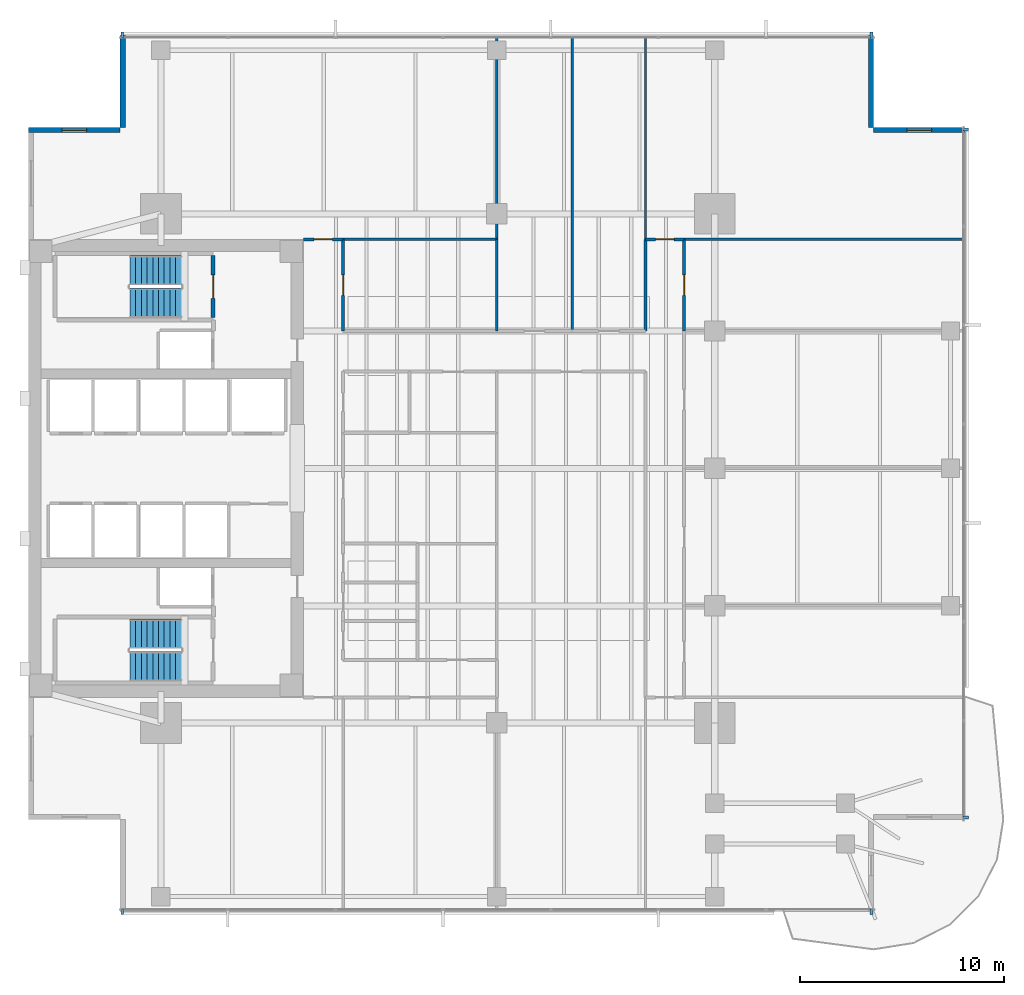
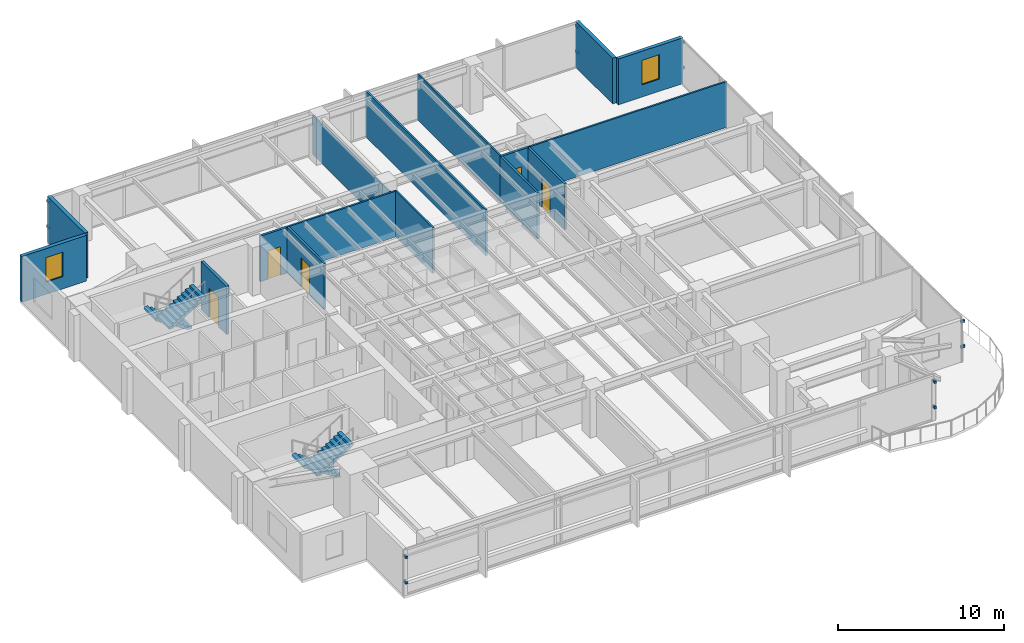
# One storey, part 10 of 14: 16 walls, 12 discrete accessories, 5 doors, 4 stair flights, 2 windows, 7 openings, 2 elements without a shape of their own.
"""IFC4 building model written with IfcOpenShell, lengths in metres."""

import ifcopenshell
import ifcopenshell.guid

model = None  # the IFC model being written
_history = None  # IfcOwnerHistory: only IFC2X3 demands one
_inside = {}  # id of a spatial element -> (the spatial element, [elements in it])
_under = {}  # id of a project, library or spatial element -> (it, [spatial elements below it])
_declared = {}  # id of a project -> (the project, [libraries it declares])
_typed = {}  # id of a type object -> (the type object, [elements of that type])
_made_of = {}  # id of a material, layer set ... -> (it, [elements and type objects made of it])


def new_model(schema):
    """Start an empty IFC model of exactly this schema.

    Asked for "IFC4X3", IfcOpenShell would pick the latest addendum, in which some entities
    have other attributes; the version numbers below select the first issue.
    IFC2X3 requires an IfcOwnerHistory on every rooted entity: one is made here for all.
    """
    global model, _history
    if schema == "IFC4X3":
        model = ifcopenshell.file(schema_version=(4, 3, 0, 0))
    else:
        model = ifcopenshell.file(schema=schema)
    _inside.clear()
    _under.clear()
    _declared.clear()
    _typed.clear()
    _made_of.clear()
    _history = None
    if model.schema == "IFC2X3":
        org = make("IfcOrganization", Name="unknown")
        user = make(
            "IfcPersonAndOrganization",
            ThePerson=make("IfcPerson", FamilyName="unknown"),
            TheOrganization=org,
        )
        app = make(
            "IfcApplication",
            ApplicationDeveloper=org,
            Version="unknown",
            ApplicationFullName="unknown",
            ApplicationIdentifier="unknown",
        )
        _history = make(
            "IfcOwnerHistory",
            OwningUser=user,
            OwningApplication=app,
            ChangeAction="ADDED",
            CreationDate=0,
        )
    return model


def make(cls, **values):
    """One entity of the class cls with the attributes given. An attribute that is None is left unset."""
    return model.create_entity(
        cls, **{name: value for name, value in values.items() if value is not None}
    )


def rooted(cls, **values):
    """An entity with a GlobalId (a new one), such as an element, a storey or a relation."""
    return make(cls, GlobalId=ifcopenshell.guid.new(), OwnerHistory=_history, **values)


def si_unit(unit_type, name, prefix=None):
    """IfcSIUnit, for example si_unit("LENGTHUNIT", "METRE", prefix="MILLI")."""
    return make("IfcSIUnit", UnitType=unit_type, Prefix=prefix, Name=name)


def assignment(units):
    """IfcUnitAssignment: the units of a project."""
    return None if units is None else make("IfcUnitAssignment", Units=units)


def point(xyz):
    """IfcCartesianPoint."""
    return None if xyz is None else make("IfcCartesianPoint", Coordinates=xyz)


def direction(xyz):
    """IfcDirection."""
    return None if xyz is None else make("IfcDirection", DirectionRatios=xyz)


def frame(location, z_axis=None, x_axis=None):
    """IfcAxis2Placement3D, a coordinate frame: its origin and axes. An axis left out is left unset."""
    return make(
        "IfcAxis2Placement3D",
        Location=point(location),
        Axis=direction(z_axis),
        RefDirection=direction(x_axis),
    )


def frame_2d(location, x_axis=None):
    """IfcAxis2Placement2D, a coordinate frame in the plane: its origin and x axis."""
    return make(
        "IfcAxis2Placement2D", Location=point(location), RefDirection=direction(x_axis)
    )


def origin():
    """The frame at (0, 0, 0) with its axes left unset."""
    return frame((0.0, 0.0, 0.0))


def origin_2d():
    """The frame at (0, 0) in the plane with its x axis left unset."""
    return frame_2d((0.0, 0.0))


def place(relative_to, where):
    """IfcLocalPlacement: puts the frame where relative to a parent placement (None: the world)."""
    return make(
        "IfcLocalPlacement", PlacementRelTo=relative_to, RelativePlacement=where
    )


def context(
    kind, dimensions, precision=None, world=None, true_north=None, identifier=None
):
    """IfcGeometricRepresentationContext, for example the 3D "Model" context."""
    return make(
        "IfcGeometricRepresentationContext",
        ContextIdentifier=identifier,
        ContextType=kind,
        CoordinateSpaceDimension=dimensions,
        Precision=precision,
        WorldCoordinateSystem=world,
        TrueNorth=true_north,
    )


def subcontext(parent, identifier, kind, view, scale=None):
    """IfcGeometricRepresentationSubContext, for example "Body" below "Model"."""
    return make(
        "IfcGeometricRepresentationSubContext",
        ContextIdentifier=identifier,
        ContextType=kind,
        ParentContext=parent,
        TargetScale=scale,
        TargetView=view,
    )


def project(units=None, contexts=None):
    """IfcProject with its units and contexts."""
    return rooted(
        "IfcProject",
        Name="project",
        RepresentationContexts=contexts,
        UnitsInContext=assignment(units),
    )


def spatial(cls, under=None, at=None, **own):
    """A site, building, storey or space (cls), placed at a placement, below another one or the project."""
    s = rooted(cls, ObjectPlacement=at, **own)
    if under is not None:
        _under.setdefault(under.id(), (under, []))[1].append(s)
    return s


def polyline(points):
    """IfcPolyline through the points."""
    return make("IfcPolyline", Points=[point(p) for p in points])


def profile(cls, at=None, kind="AREA", **sizes):
    """A parametric profile (cls). Its sizes go by their IFC names, for example OverallWidth=200.0."""
    return make(cls, ProfileType=kind, Position=at, **sizes)


def rectangle(**sizes):
    """IfcRectangleProfileDef."""
    return profile("IfcRectangleProfileDef", **sizes)


def outline(outer, holes=None, kind="AREA"):
    """IfcArbitraryClosedProfileDef: a profile drawn as a closed curve; with holes, ...WithVoids."""
    if holes is None:
        return make("IfcArbitraryClosedProfileDef", ProfileType=kind, OuterCurve=outer)
    return make(
        "IfcArbitraryProfileDefWithVoids",
        ProfileType=kind,
        OuterCurve=outer,
        InnerCurves=holes,
    )


def extrude(swept, where, along, depth):
    """IfcExtrudedAreaSolid: the profile swept, set in the frame where, extruded along a direction by depth."""
    return make(
        "IfcExtrudedAreaSolid",
        SweptArea=swept,
        Position=where,
        ExtrudedDirection=direction(along),
        Depth=depth,
    )


def shape(context_of_items, identifier, shape_type, items):
    """IfcShapeRepresentation: the items that make up one representation, for example the "Body"."""
    return make(
        "IfcShapeRepresentation",
        ContextOfItems=context_of_items,
        RepresentationIdentifier=identifier,
        RepresentationType=shape_type,
        Items=items,
    )


def material(Name=None, Category=None):
    """IfcMaterial."""
    return make("IfcMaterial", Name=Name, Category=Category)


def layer(
    of_material, thickness, ventilated=None, Name=None, Category=None, Priority=None
):
    """IfcMaterialLayer: one layer of a wall or slab, of a material (None: an air gap)."""
    return make(
        "IfcMaterialLayer",
        Material=of_material,
        LayerThickness=thickness,
        IsVentilated=ventilated,
        Name=Name,
        Category=Category,
        Priority=Priority,
    )


def layer_set(layers, Name=None):
    """IfcMaterialLayerSet."""
    return make("IfcMaterialLayerSet", MaterialLayers=layers, LayerSetName=Name)


def made_of(thing, what):
    """Note that an element or type object is made of a material, layer set ...; save() writes the relation."""
    if what is not None:
        _made_of.setdefault(what.id(), (what, []))[1].append(thing)
    return thing


def type_object(cls, material=None, **own):
    """A type object (cls), such as IfcWallType, which elements share."""
    return made_of(rooted(cls, **own), material)


def element(
    cls,
    number,
    at=None,
    inside=None,
    cuts=None,
    type_object=None,
    material=None,
    context=None,
    identifier="Body",
    shape_type=None,
    held_by="IfcProductDefinitionShape",
    body=None,
    shapes=None,
    **own,
):
    """One element of the class cls, such as IfcWall. Its Tag is "e" and its number.

    at: its placement. inside: the storey or other place that contains it. cuts: it is an
    opening in that element (IfcRelVoidsElement). A single representation is given by context,
    identifier, shape_type and body (its items); several are given by shapes. held_by: the class
    of the entity that holds the representations. save() writes the other relations.
    """
    e = rooted(cls, Tag="e%d" % number, ObjectPlacement=at, **own)
    if body is not None:
        shapes = [shape(context, identifier, shape_type, body)]
    if shapes is not None:
        e.Representation = make(held_by, Representations=shapes)
    if inside is not None:
        _inside.setdefault(inside.id(), (inside, []))[1].append(e)
    if cuts is not None:
        rooted(
            "IfcRelVoidsElement", RelatingBuildingElement=cuts, RelatedOpeningElement=e
        )
    if type_object is not None:
        _typed.setdefault(type_object.id(), (type_object, []))[1].append(e)
    return made_of(e, material)


def fill(opening, filler):
    """IfcRelFillsElement: the door or window that sits in an opening."""
    return rooted(
        "IfcRelFillsElement",
        RelatingOpeningElement=opening,
        RelatedBuildingElement=filler,
    )


def aggregate(whole, parts):
    """IfcRelAggregates: a whole, such as a stair, and the parts it consists of."""
    return rooted("IfcRelAggregates", RelatingObject=whole, RelatedObjects=parts)


def save(model, path):
    """Write the relations noted so far, then the file.

    IfcRelAggregates (storeys below a building ...), IfcRelContainedInSpatialStructure (elements
    in a storey), IfcRelDefinesByType, IfcRelAssociatesMaterial and IfcRelDeclares: one each for
    every whole, place, type object, material and project.
    """
    for whole, parts in _under.values():
        aggregate(whole, parts)
    for where, things in _inside.values():
        rooted(
            "IfcRelContainedInSpatialStructure",
            RelatedElements=things,
            RelatingStructure=where,
        )
    for kind, things in _typed.values():
        rooted("IfcRelDefinesByType", RelatedObjects=things, RelatingType=kind)
    for what, things in _made_of.values():
        rooted("IfcRelAssociatesMaterial", RelatedObjects=things, RelatingMaterial=what)
    for by, libraries in _declared.values():
        rooted("IfcRelDeclares", RelatingContext=by, RelatedDefinitions=libraries)
    model.write(path)


model = new_model("IFC4")

# Units and contexts
model_context = context("Model", 3, precision=1e-05, world=origin(), true_north=direction((0.0, 1.0)))
body_context = subcontext(model_context, "Body", "Model", "MODEL_VIEW")
ifc_project = project(units=[si_unit("LENGTHUNIT", "METRE"), si_unit("AREAUNIT", "SQUARE_METRE"), si_unit("VOLUMEUNIT", "CUBIC_METRE"), si_unit("PLANEANGLEUNIT", "RADIAN"), si_unit("MASSUNIT", "GRAM", prefix="KILO")], contexts=[model_context])

# Site, building, storey
site_placement = place(None, origin())
site = spatial("IfcSite", under=ifc_project, at=site_placement, CompositionType="ELEMENT")
building_placement = place(site_placement, origin())
building = spatial("IfcBuilding", under=site, at=building_placement, Name="Kinhvarn Gate Tower", CompositionType="ELEMENT")
storey_placement = place(building_placement, frame((0.0, 0.0, 148.39990234375)))
storey = spatial("IfcBuildingStorey", under=building, at=storey_placement, Name="L39", CompositionType="ELEMENT", Elevation=148.39990234375)

# Wall, opening, window
ifc_material_1 = material(Name="Fired architectural terracotta", Category="masonry")
ifc_layer_1 = layer(ifc_material_1, 0.25)
ifc_layer_set_1 = layer_set([ifc_layer_1], Name="Fired architectural terracotta")
wall_type_1 = type_object("IfcWallType", Name="WL-EXT-250", PredefinedType="SOLIDWALL", material=ifc_layer_set_1)
wall_1_placement = place(storey_placement, frame((50.5, 41.875, 0.0), z_axis=(0.0, 0.0, 1.0), x_axis=(-1.0, 0.0, 0.0)))
wall_1 = element("IfcWall", 1, at=wall_1_placement, inside=storey, type_object=wall_type_1, Name="Exterior Solidwall Wall EW-250 (L39 NE-Notch-1)", PredefinedType="SOLIDWALL", context=body_context, shape_type="SweptSolid", body=[
    extrude(rectangle(XDim=4.5, YDim=0.25, at=frame_2d((2.25, 0.0))), origin(), (0.0, 0.0, 1.0), 3.3701171875),
])
opening_1_placement = place(wall_1_placement, frame((1.64990234375, 0.0, 0.89990234375)))
opening_1 = element("IfcOpeningElement", 2, at=opening_1_placement, cuts=wall_1, Name="Opening WN-02", PredefinedType="OPENING", context=body_context, shape_type="SweptSolid", body=[
    extrude(rectangle(XDim=1.199951171875, YDim=1.800048828125, at=frame_2d((0.60009765625, 0.89990234375))), frame((0.0, 0.135009765625, 0.0), z_axis=(0.0, -1.0, 0.0), x_axis=(1.0, 0.0, 0.0)), (0.0, 0.0, 1.0), 0.27001953125),
])
ifc_material_2 = material(Name="Clear low-e double glazing", Category="glass")
window_type = type_object("IfcWindowType", Name="WIN-NTC-1200", PartitioningType="SINGLE_PANEL", PredefinedType="WINDOW", material=ifc_material_2)
window_1_placement = place(opening_1_placement, origin())
window_1 = element("IfcWindow", 3, at=window_1_placement, inside=storey, type_object=window_type, Name="Recessed Corner Notch Punched Window 1200x1800 mm (L39)", OverallHeight=1.800048828125, OverallWidth=1.199951171875, PartitioningType="SINGLE_PANEL", PredefinedType="WINDOW", context=body_context, shape_type="SweptSolid", body=[
    extrude(rectangle(XDim=1.199951171875, YDim=1.800048828125, at=frame_2d((0.60009765625, 0.89990234375))), frame((0.0, 0.030029296875, 0.0), z_axis=(0.0, -1.0, 0.0), x_axis=(1.0, 0.0, 0.0)), (0.0, 0.0, 1.0), 0.06005859375),
])
fill(opening_1, window_1)

# Walls
for number, where, z_axis, x_axis, name in (
    (4, (45.875, 42.0, 0.0), (0.0, 0.0, 1.0), (0.0, 1.0, 0.0), "Exterior Solidwall Wall EW-250 (L39 NE-Notch-2)"),
    (5, (9.125, 46.5, 0.0), (0.0, 0.0, 1.0), (0.0, -1.0, 0.0), "Exterior Solidwall Wall EW-250 (L39 NW-Notch-1)"),
):
    element("IfcWall", number, at=place(storey_placement, frame(where, z_axis=z_axis, x_axis=x_axis)), inside=storey, type_object=wall_type_1, Name=name, PredefinedType="SOLIDWALL", context=body_context, shape_type="SweptSolid", body=[
        extrude(rectangle(XDim=4.5, YDim=0.25, at=frame_2d((2.25, 0.0))), origin(), (0.0, 0.0, 1.0), 3.3701171875),
    ])

# Wall, opening, window
wall_2_placement = place(storey_placement, frame((9.0, 41.875, 0.0), z_axis=(0.0, 0.0, 1.0), x_axis=(-1.0, 0.0, 0.0)))
wall_2 = element("IfcWall", 6, at=wall_2_placement, inside=storey, type_object=wall_type_1, Name="Exterior Solidwall Wall EW-250 (L39 NW-Notch-2)", PredefinedType="SOLIDWALL", context=body_context, shape_type="SweptSolid", body=[
    extrude(rectangle(XDim=4.5, YDim=0.25, at=frame_2d((2.25, 0.0))), origin(), (0.0, 0.0, 1.0), 3.3701171875),
])
opening_2_placement = place(wall_2_placement, frame((1.64990234375, 0.0, 0.89990234375)))
opening_2 = element("IfcOpeningElement", 7, at=opening_2_placement, cuts=wall_2, Name="Opening WN-02", PredefinedType="OPENING", context=body_context, shape_type="SweptSolid", body=[
    extrude(rectangle(XDim=1.199951171875, YDim=1.800048828125, at=frame_2d((0.60009765625, 0.89990234375))), frame((0.0, 0.135009765625, 0.0), z_axis=(0.0, -1.0, 0.0), x_axis=(1.0, 0.0, 0.0)), (0.0, 0.0, 1.0), 0.27001953125),
])
window_2_placement = place(opening_2_placement, origin())
window_2 = element("IfcWindow", 8, at=window_2_placement, inside=storey, type_object=window_type, Name="Recessed Corner Notch Punched Window 1200x1800 mm (L39)", OverallHeight=1.800048828125, OverallWidth=1.199951171875, PartitioningType="SINGLE_PANEL", PredefinedType="WINDOW", context=body_context, shape_type="SweptSolid", body=[
    extrude(rectangle(XDim=1.199951171875, YDim=1.800048828125, at=frame_2d((0.60009765625, 0.89990234375))), frame((0.0, 0.030029296875, 0.0), z_axis=(0.0, -1.0, 0.0), x_axis=(1.0, 0.0, 0.0)), (0.0, 0.0, 1.0), 0.06005859375),
])
fill(opening_2, window_2)

# Walls
ifc_material_3 = material(Name="Gypsum acoustic partition board")
ifc_layer_2 = layer(ifc_material_3, 0.1201171875)
ifc_layer_set_2 = layer_set([ifc_layer_2], Name="Gypsum acoustic partition board")
wall_type_2 = type_object("IfcWallType", Name="WL-PRT-120", PredefinedType="PARTITIONING", material=ifc_layer_set_2)
wall_3_placement = place(storey_placement, frame((19.949951171875, 36.5, 0.0), z_axis=(0.0, 0.0, 1.0), x_axis=(1.0, 0.0, 0.0)))
element("IfcWall", 9, at=wall_3_placement, inside=storey, type_object=wall_type_2, Name="Interior Partition PW-120 (L39)", PredefinedType="PARTITIONING", context=body_context, shape_type="SweptSolid", body=[
    extrude(rectangle(XDim=7.550048828125, YDim=0.1201171875, at=frame_2d((3.77490234375, 0.0))), origin(), (0.0, 0.0, 1.0), 3.3701171875),
])
wall_4_placement = place(storey_placement, frame((27.5, 32.0, 0.0), z_axis=(0.0, 0.0, 1.0), x_axis=(0.0, 1.0, 0.0)))
element("IfcWall", 10, at=wall_4_placement, inside=storey, type_object=wall_type_2, Name="Interior Partition PW-120 (L39)", PredefinedType="PARTITIONING", context=body_context, shape_type="SweptSolid", body=[
    extrude(rectangle(XDim=4.5, YDim=0.1201171875, at=frame_2d((2.25, 0.0))), origin(), (0.0, 0.0, 1.0), 3.3701171875),
])
wall_5_placement = place(storey_placement, frame((27.5, 36.5, 0.0), z_axis=(0.0, 0.0, 1.0), x_axis=(0.0, 1.0, 0.0)))
element("IfcWall", 11, at=wall_5_placement, inside=storey, type_object=wall_type_2, Name="Interior Partition PW-120 (L39)", PredefinedType="PARTITIONING", context=body_context, shape_type="SweptSolid", body=[
    extrude(rectangle(XDim=9.989990234375, YDim=0.1201171875, at=frame_2d((4.9951171875, 0.0))), origin(), (0.0, 0.0, 1.0), 2.8701171875),
])
wall_6_placement = place(storey_placement, frame((31.199951171875, 32.0, 0.0), z_axis=(0.0, 0.0, 1.0), x_axis=(0.0, 1.0, 0.0)))
element("IfcWall", 12, at=wall_6_placement, inside=storey, type_object=wall_type_2, Name="Interior Partition PW-120 (L39)", PredefinedType="PARTITIONING", context=body_context, shape_type="SweptSolid", body=[
    extrude(rectangle(XDim=14.489990234375, YDim=0.1201171875, at=frame_2d((7.2451171875, 0.0))), origin(), (0.0, 0.0, 1.0), 3.3701171875),
])
wall_7_placement = place(storey_placement, frame((34.800048828125, 36.5, 0.0), z_axis=(0.0, 0.0, 1.0), x_axis=(0.0, 1.0, 0.0)))
element("IfcWall", 13, at=wall_7_placement, inside=storey, type_object=wall_type_2, Name="Interior Partition PW-120 (L39)", PredefinedType="PARTITIONING", context=body_context, shape_type="SweptSolid", body=[
    extrude(rectangle(XDim=9.989990234375, YDim=0.1201171875, at=frame_2d((4.9951171875, 0.0))), origin(), (0.0, 0.0, 1.0), 3.3701171875),
])
wall_8_placement = place(storey_placement, frame((36.699951171875, 36.5, 0.0), z_axis=(0.0, 0.0, 1.0), x_axis=(1.0, 0.0, 0.0)))
element("IfcWall", 14, at=wall_8_placement, inside=storey, type_object=wall_type_2, Name="Interior Partition PW-120 (L39)", PredefinedType="PARTITIONING", context=body_context, shape_type="SweptSolid", body=[
    extrude(rectangle(XDim=13.7900390625, YDim=0.1201171875, at=frame_2d((6.89501953125, 0.0))), origin(), (0.0, 0.0, 1.0), 3.3701171875),
])

# Wall, opening, door
ifc_layer_3 = layer(ifc_material_3, 0.14990234375)
ifc_layer_set_3 = layer_set([ifc_layer_3], Name="Gypsum acoustic partition board")
wall_type_3 = type_object("IfcWallType", Name="WL-PRT-150F", PredefinedType="PARTITIONING", material=ifc_layer_set_3)
wall_9_placement = place(storey_placement, frame((19.949951171875, 32.0, 0.0), z_axis=(0.0, 0.0, 1.0), x_axis=(0.0, 1.0, 0.0)))
wall_9 = element("IfcWall", 15, at=wall_9_placement, inside=storey, type_object=wall_type_3, Name="Interior Partition PW-150F (L39)", PredefinedType="PARTITIONING", context=body_context, shape_type="SweptSolid", body=[
    extrude(rectangle(XDim=4.5, YDim=0.14990234375, at=frame_2d((2.25, 0.0))), origin(), (0.0, 0.0, 1.0), 3.3701171875),
])
opening_3_placement = place(wall_9_placement, frame((1.75, 0.0, 0.0)))
opening_3 = element("IfcOpeningElement", 16, at=opening_3_placement, cuts=wall_9, Name="Opening ID-02", PredefinedType="OPENING", context=body_context, shape_type="SweptSolid", body=[
    extrude(rectangle(XDim=1.0, YDim=2.14990234375, at=frame_2d((0.5, 1.074951171875))), frame((0.0, 0.0849609375, 0.0), z_axis=(0.0, -1.0, 0.0), x_axis=(1.0, 0.0, 0.0)), (0.0, 0.0, 1.0), 0.169921875),
])
ifc_material_4 = material(Name="Anodised aluminium AW-6063", Category="aluminium")
door_type_1 = type_object("IfcDoorType", Name="DR-INT-1000", OperationType="NOTDEFINED", PredefinedType="DOOR", material=ifc_material_4)
door_1_placement = place(opening_3_placement, origin())
door_1 = element("IfcDoor", 17, at=door_1_placement, inside=storey, type_object=door_type_1, Name="Standard Office & Meeting Room Door 1000x2150 mm (L39)", OperationType="SINGLE_SWING_LEFT", OverallHeight=2.14990234375, OverallWidth=1.0, PredefinedType="DOOR", context=body_context, shape_type="SweptSolid", body=[
    extrude(rectangle(XDim=1.0, YDim=2.14990234375, at=frame_2d((0.5, 1.074951171875))), frame((0.0, 0.02490234375, 0.0), z_axis=(0.0, -1.0, 0.0), x_axis=(1.0, 0.0, 0.0)), (0.0, 0.0, 1.0), 0.050048828125),
])
fill(opening_3, door_1)

wall_10_placement = place(storey_placement, frame((18.0, 36.5, 0.0), z_axis=(0.0, 0.0, 1.0), x_axis=(1.0, 0.0, 0.0)))
wall_10 = element("IfcWall", 18, at=wall_10_placement, inside=storey, type_object=wall_type_3, Name="Interior Partition PW-150F (L39)", PredefinedType="PARTITIONING", context=body_context, shape_type="SweptSolid", body=[
    extrude(rectangle(XDim=1.949951171875, YDim=0.14990234375, at=frame_2d((0.97509765625, 0.0))), origin(), (0.0, 0.0, 1.0), 3.3701171875),
])
opening_4_placement = place(wall_10_placement, frame((0.52490234375, 0.0, 0.0)))
opening_4 = element("IfcOpeningElement", 19, at=opening_4_placement, cuts=wall_10, Name="Opening ID-03", PredefinedType="OPENING", context=body_context, shape_type="SweptSolid", body=[
    extrude(rectangle(XDim=0.89990234375, YDim=2.10009765625, at=frame_2d((0.449951171875, 1.050048828125))), frame((0.0, 0.0849609375, 0.0), z_axis=(0.0, -1.0, 0.0), x_axis=(1.0, 0.0, 0.0)), (0.0, 0.0, 1.0), 0.169921875),
])
door_type_2 = type_object("IfcDoorType", Name="DR-INT-900", OperationType="NOTDEFINED", PredefinedType="DOOR", material=ifc_material_4)
door_2_placement = place(opening_4_placement, origin())
door_2 = element("IfcDoor", 20, at=door_2_placement, inside=storey, type_object=door_type_2, Name="Cellular Office & Restroom Door 900x2100 mm (L39)", OperationType="SINGLE_SWING_LEFT", OverallHeight=2.10009765625, OverallWidth=0.89990234375, PredefinedType="DOOR", context=body_context, shape_type="SweptSolid", body=[
    extrude(rectangle(XDim=0.89990234375, YDim=2.10009765625, at=frame_2d((0.449951171875, 1.050048828125))), frame((0.0, 0.02490234375, 0.0), z_axis=(0.0, -1.0, 0.0), x_axis=(1.0, 0.0, 0.0)), (0.0, 0.0, 1.0), 0.050048828125),
])
fill(opening_4, door_2)

# Wall
wall_11_placement = place(storey_placement, frame((34.800048828125, 32.0, 0.0), z_axis=(0.0, 0.0, 1.0), x_axis=(0.0, 1.0, 0.0)))
element("IfcWall", 21, at=wall_11_placement, inside=storey, type_object=wall_type_3, Name="Interior Partition PW-150F (L39)", PredefinedType="PARTITIONING", context=body_context, shape_type="SweptSolid", body=[
    extrude(rectangle(XDim=4.5, YDim=0.14990234375, at=frame_2d((2.25, 0.0))), origin(), (0.0, 0.0, 1.0), 3.3701171875),
])

# Wall, opening, door
wall_12_placement = place(storey_placement, frame((36.699951171875, 32.0, 0.0), z_axis=(0.0, 0.0, 1.0), x_axis=(0.0, 1.0, 0.0)))
wall_12 = element("IfcWall", 22, at=wall_12_placement, inside=storey, type_object=wall_type_3, Name="Interior Partition PW-150F (L39)", PredefinedType="PARTITIONING", context=body_context, shape_type="SweptSolid", body=[
    extrude(rectangle(XDim=4.5, YDim=0.14990234375, at=frame_2d((2.25, 0.0))), origin(), (0.0, 0.0, 1.0), 3.3701171875),
])
opening_5_placement = place(wall_12_placement, frame((1.75, 0.0, 0.0)))
opening_5 = element("IfcOpeningElement", 23, at=opening_5_placement, cuts=wall_12, Name="Opening ID-02", PredefinedType="OPENING", context=body_context, shape_type="SweptSolid", body=[
    extrude(rectangle(XDim=1.0, YDim=2.14990234375, at=frame_2d((0.5, 1.074951171875))), frame((0.0, 0.0849609375, 0.0), z_axis=(0.0, -1.0, 0.0), x_axis=(1.0, 0.0, 0.0)), (0.0, 0.0, 1.0), 0.169921875),
])
door_3_placement = place(opening_5_placement, origin())
door_3 = element("IfcDoor", 24, at=door_3_placement, inside=storey, type_object=door_type_1, Name="Standard Office & Meeting Room Door 1000x2150 mm (L39)", OperationType="SINGLE_SWING_RIGHT", OverallHeight=2.14990234375, OverallWidth=1.0, PredefinedType="DOOR", context=body_context, shape_type="SweptSolid", body=[
    extrude(rectangle(XDim=1.0, YDim=2.14990234375, at=frame_2d((0.5, 1.074951171875))), frame((0.0, 0.02490234375, 0.0), z_axis=(0.0, -1.0, 0.0), x_axis=(1.0, 0.0, 0.0)), (0.0, 0.0, 1.0), 0.050048828125),
])
fill(opening_5, door_3)

wall_13_placement = place(storey_placement, frame((34.800048828125, 36.5, 0.0), z_axis=(0.0, 0.0, 1.0), x_axis=(1.0, 0.0, 0.0)))
wall_13 = element("IfcWall", 25, at=wall_13_placement, inside=storey, type_object=wall_type_3, Name="Interior Partition PW-150F (L39)", PredefinedType="PARTITIONING", context=body_context, shape_type="SweptSolid", body=[
    extrude(rectangle(XDim=1.89990234375, YDim=0.14990234375, at=frame_2d((0.949951171875, 0.0))), origin(), (0.0, 0.0, 1.0), 3.3701171875),
])
opening_6_placement = place(wall_13_placement, frame((0.5, 0.0, 0.0)))
opening_6 = element("IfcOpeningElement", 26, at=opening_6_placement, cuts=wall_13, Name="Opening ID-03", PredefinedType="OPENING", context=body_context, shape_type="SweptSolid", body=[
    extrude(rectangle(XDim=0.89990234375, YDim=2.10009765625, at=frame_2d((0.449951171875, 1.050048828125))), frame((0.0, 0.0849609375, 0.0), z_axis=(0.0, -1.0, 0.0), x_axis=(1.0, 0.0, 0.0)), (0.0, 0.0, 1.0), 0.169921875),
])
door_4_placement = place(opening_6_placement, origin())
door_4 = element("IfcDoor", 27, at=door_4_placement, inside=storey, type_object=door_type_2, Name="Cellular Office & Restroom Door 900x2100 mm (L39)", OperationType="SINGLE_SWING_LEFT", OverallHeight=2.10009765625, OverallWidth=0.89990234375, PredefinedType="DOOR", context=body_context, shape_type="SweptSolid", body=[
    extrude(rectangle(XDim=0.89990234375, YDim=2.10009765625, at=frame_2d((0.449951171875, 1.050048828125))), frame((0.0, 0.02490234375, 0.0), z_axis=(0.0, -1.0, 0.0), x_axis=(1.0, 0.0, 0.0)), (0.0, 0.0, 1.0), 0.050048828125),
])
fill(opening_6, door_4)

ifc_material_5 = material(Name="Concrete C40/50", Category="concrete")
ifc_layer_4 = layer(ifc_material_5, 0.199951171875)
ifc_layer_set_4 = layer_set([ifc_layer_4], Name="Concrete C40/50")
wall_type_4 = type_object("IfcWallType", Name="WL-SHF-200", PredefinedType="SOLIDWALL", material=ifc_layer_set_4)
wall_14_placement = place(storey_placement, frame((13.56005859375, 32.64990234375, 0.0), z_axis=(0.0, 0.0, 1.0), x_axis=(0.0, 1.0, 0.0)))
wall_14 = element("IfcWall", 28, at=wall_14_placement, inside=storey, type_object=wall_type_4, Name="Stair ST2 East Entry Wall (L39)", PredefinedType="SOLIDWALL", context=body_context, shape_type="SweptSolid", body=[
    extrude(rectangle(XDim=3.050048828125, YDim=0.199951171875, at=frame_2d((1.52490234375, 0.0))), origin(), (0.0, 0.0, 1.0), 3.550048828125),
])
opening_7_placement = place(wall_14_placement, frame((0.949951171875, 0.0, 0.0)))
opening_7 = element("IfcOpeningElement", 29, at=opening_7_placement, cuts=wall_14, Name="Opening FD-01", PredefinedType="OPENING", context=body_context, shape_type="SweptSolid", body=[
    extrude(rectangle(XDim=1.14990234375, YDim=2.14990234375, at=frame_2d((0.574951171875, 1.074951171875))), frame((0.0, 0.10986328125, 0.0), z_axis=(0.0, -1.0, 0.0), x_axis=(1.0, 0.0, 0.0)), (0.0, 0.0, 1.0), 0.219970703125),
])
door_type_3 = type_object("IfcDoorType", Name="DR-ST-1150", OperationType="NOTDEFINED", PredefinedType="DOOR", material=ifc_material_4)
door_5_placement = place(opening_7_placement, origin())
door_5 = element("IfcDoor", 30, at=door_5_placement, inside=storey, type_object=door_type_3, Name="Exit Stair ST2 Fire Door (L39)", OperationType="SINGLE_SWING_RIGHT", OverallHeight=2.14990234375, OverallWidth=1.14990234375, PredefinedType="DOOR", context=body_context, shape_type="SweptSolid", body=[
    extrude(rectangle(XDim=1.14990234375, YDim=2.14990234375, at=frame_2d((0.574951171875, 1.074951171875))), frame((0.0, 0.02490234375, 0.0), z_axis=(0.0, -1.0, 0.0), x_axis=(1.0, 0.0, 0.0)), (0.0, 0.0, 1.0), 0.050048828125),
])
fill(opening_7, door_5)

# Stair, stair flights
stair_type = type_object("IfcStairType", Name="STR-DLG-177", PredefinedType="HALF_TURN_STAIR", material=ifc_material_5)
stair_1_placement = place(storey_placement, origin())
stair_1 = element("IfcStair", 31, at=stair_1_placement, inside=storey, type_object=stair_type, Name="L39 Core Smokeproof Exit Stair ST1", PredefinedType="HALF_TURN_STAIR")
stair_flight_type = type_object("IfcStairFlightType", Name="STF-DLG-177", PredefinedType="STRAIGHT", material=ifc_material_5)
stair_flight_1_placement = place(storey_placement, frame((12.0, 17.125, 0.0), z_axis=(0.0, 0.0, 1.0), x_axis=(-1.0, 0.0, 0.0)))
stair_flight_1 = element("IfcStairFlight", 32, at=stair_flight_1_placement, type_object=stair_flight_type, Name="ST1 flight 1", NumberOfRisers=10, NumberOfTreads=9, PredefinedType="STRAIGHT", RiserHeight=0.1775, TreadLength=0.28, context=body_context, shape_type="SweptSolid", body=[
    extrude(outline(polyline([(0.0, 0.0), (0.0, 0.177490234375), (0.280029296875, 0.177490234375), (0.280029296875, 0.35498046875), (0.56005859375, 0.35498046875), (0.56005859375, 0.532470703125), (0.840087890625, 0.532470703125), (0.840087890625, 0.7099609375), (1.1201171875, 0.7099609375), (1.1201171875, 0.887451171875), (1.39990234375, 0.887451171875), (1.39990234375, 1.06494140625), (1.679931640625, 1.06494140625), (1.679931640625, 1.242431640625), (1.9599609375, 1.242431640625), (1.9599609375, 1.419921875), (2.239990234375, 1.419921875), (2.239990234375, 1.597412109375), (2.52001953125, 1.597412109375), (2.52001953125, 1.77490234375), (2.52001953125, 1.419921875), (0.280029296875, 0.0), (0.0, 0.0)])), frame((0.0, 0.72509765625, 0.0), z_axis=(0.0, -1.0, 0.0), x_axis=(1.0, 0.0, 0.0)), (0.0, 0.0, 1.0), 1.449951171875),
])
stair_flight_2_placement = place(storey_placement, frame((9.47998046875, 15.52490234375, 1.775146484375), z_axis=(0.0, 0.0, 1.0), x_axis=(1.0, 0.0, 0.0)))
stair_flight_2 = element("IfcStairFlight", 33, at=stair_flight_2_placement, type_object=stair_flight_type, Name="ST1 flight 2", NumberOfRisers=10, NumberOfTreads=9, PredefinedType="STRAIGHT", RiserHeight=0.1775, TreadLength=0.28, context=body_context, shape_type="SweptSolid", body=[
    extrude(outline(polyline([(0.0, 0.0), (0.0, 0.177490234375), (0.280029296875, 0.177490234375), (0.280029296875, 0.35498046875), (0.56005859375, 0.35498046875), (0.56005859375, 0.532470703125), (0.840087890625, 0.532470703125), (0.840087890625, 0.7099609375), (1.1201171875, 0.7099609375), (1.1201171875, 0.887451171875), (1.39990234375, 0.887451171875), (1.39990234375, 1.06494140625), (1.679931640625, 1.06494140625), (1.679931640625, 1.242431640625), (1.9599609375, 1.242431640625), (1.9599609375, 1.419921875), (2.239990234375, 1.419921875), (2.239990234375, 1.597412109375), (2.52001953125, 1.597412109375), (2.52001953125, 1.77490234375), (2.52001953125, 1.419921875), (0.280029296875, 0.0), (0.0, 0.0)])), frame((0.0, 0.72509765625, 0.0), z_axis=(0.0, -1.0, 0.0), x_axis=(1.0, 0.0, 0.0)), (0.0, 0.0, 1.0), 1.449951171875),
])
aggregate(stair_1, [stair_flight_1, stair_flight_2])

stair_2_placement = place(storey_placement, origin())
stair_2 = element("IfcStair", 34, at=stair_2_placement, inside=storey, type_object=stair_type, Name="L39 Core Smokeproof Exit Stair ST2", PredefinedType="HALF_TURN_STAIR")
stair_flight_3_placement = place(storey_placement, frame((12.0, 34.97509765625, 0.0), z_axis=(0.0, 0.0, 1.0), x_axis=(-1.0, 0.0, 0.0)))
stair_flight_3 = element("IfcStairFlight", 35, at=stair_flight_3_placement, type_object=stair_flight_type, Name="ST2 flight 1", NumberOfRisers=10, NumberOfTreads=9, PredefinedType="STRAIGHT", RiserHeight=0.1775, TreadLength=0.28, context=body_context, shape_type="SweptSolid", body=[
    extrude(outline(polyline([(0.0, 0.0), (0.0, 0.177490234375), (0.280029296875, 0.177490234375), (0.280029296875, 0.35498046875), (0.56005859375, 0.35498046875), (0.56005859375, 0.532470703125), (0.840087890625, 0.532470703125), (0.840087890625, 0.7099609375), (1.1201171875, 0.7099609375), (1.1201171875, 0.887451171875), (1.39990234375, 0.887451171875), (1.39990234375, 1.06494140625), (1.679931640625, 1.06494140625), (1.679931640625, 1.242431640625), (1.9599609375, 1.242431640625), (1.9599609375, 1.419921875), (2.239990234375, 1.419921875), (2.239990234375, 1.597412109375), (2.52001953125, 1.597412109375), (2.52001953125, 1.77490234375), (2.52001953125, 1.419921875), (0.280029296875, 0.0), (0.0, 0.0)])), frame((0.0, 0.72509765625, 0.0), z_axis=(0.0, -1.0, 0.0), x_axis=(1.0, 0.0, 0.0)), (0.0, 0.0, 1.0), 1.449951171875),
])
stair_flight_4_placement = place(storey_placement, frame((9.47998046875, 33.375, 1.775146484375), z_axis=(0.0, 0.0, 1.0), x_axis=(1.0, 0.0, 0.0)))
stair_flight_4 = element("IfcStairFlight", 36, at=stair_flight_4_placement, type_object=stair_flight_type, Name="ST2 flight 2", NumberOfRisers=10, NumberOfTreads=9, PredefinedType="STRAIGHT", RiserHeight=0.1775, TreadLength=0.28, context=body_context, shape_type="SweptSolid", body=[
    extrude(outline(polyline([(0.0, 0.0), (0.0, 0.177490234375), (0.280029296875, 0.177490234375), (0.280029296875, 0.35498046875), (0.56005859375, 0.35498046875), (0.56005859375, 0.532470703125), (0.840087890625, 0.532470703125), (0.840087890625, 0.7099609375), (1.1201171875, 0.7099609375), (1.1201171875, 0.887451171875), (1.39990234375, 0.887451171875), (1.39990234375, 1.06494140625), (1.679931640625, 1.06494140625), (1.679931640625, 1.242431640625), (1.9599609375, 1.242431640625), (1.9599609375, 1.419921875), (2.239990234375, 1.419921875), (2.239990234375, 1.597412109375), (2.52001953125, 1.597412109375), (2.52001953125, 1.77490234375), (2.52001953125, 1.419921875), (0.280029296875, 0.0), (0.0, 0.0)])), frame((0.0, 0.72509765625, 0.0), z_axis=(0.0, -1.0, 0.0), x_axis=(1.0, 0.0, 0.0)), (0.0, 0.0, 1.0), 1.449951171875),
])
aggregate(stair_2, [stair_flight_3, stair_flight_4])

# Discrete accessories
discrete_accessory_type = type_object("IfcDiscreteAccessoryType", Name="ACC-BRK-01", PredefinedType="BRACKET", material=ifc_material_4)
for number, where, z_axis, x_axis, name in (
    (37, (9.10009765625, 3.469970703125, 0.9599609375), (0.0, 0.0, 1.0), (1.0, 0.0, 0.0), "Baguette Support Bracket BK-01 (L39)"),
    (38, (9.10009765625, 3.469970703125, 2.830078125), (0.0, 0.0, 1.0), (1.0, 0.0, 0.0), "Baguette Support Bracket BK-01 (L39)"),
    (39, (45.89990234375, 3.469970703125, 0.9599609375), (0.0, 0.0, 1.0), (1.0, 0.0, 0.0), "Baguette Support Bracket BK-01 (L39)"),
    (40, (45.89990234375, 3.469970703125, 2.830078125), (0.0, 0.0, 1.0), (1.0, 0.0, 0.0), "Baguette Support Bracket BK-01 (L39)"),
    (41, (45.89990234375, 46.530029296875, 0.9599609375), (0.0, 0.0, 1.0), (-1.0, 0.0, 0.0), "Baguette Support Bracket BK-01 (L39)"),
    (42, (45.89990234375, 46.530029296875, 2.830078125), (0.0, 0.0, 1.0), (-1.0, 0.0, 0.0), "Baguette Support Bracket BK-01 (L39)"),
    (43, (9.10009765625, 46.530029296875, 0.9599609375), (0.0, 0.0, 1.0), (-1.0, 0.0, 0.0), "Baguette Support Bracket BK-01 (L39)"),
    (44, (9.10009765625, 46.530029296875, 2.830078125), (0.0, 0.0, 1.0), (-1.0, 0.0, 0.0), "Baguette Support Bracket BK-01 (L39)"),
    (45, (50.530029296875, 8.10009765625, 0.9599609375), (0.0, 0.0, 1.0), (0.0, 1.0, 0.0), "Baguette Support Bracket BK-01 (L39)"),
    (46, (50.530029296875, 8.10009765625, 2.830078125), (0.0, 0.0, 1.0), (0.0, 1.0, 0.0), "Baguette Support Bracket BK-01 (L39)"),
    (47, (50.530029296875, 41.89990234375, 0.9599609375), (0.0, 0.0, 1.0), (0.0, 1.0, 0.0), "Baguette Support Bracket BK-01 (L39)"),
    (48, (50.530029296875, 41.89990234375, 2.830078125), (0.0, 0.0, 1.0), (0.0, 1.0, 0.0), "Baguette Support Bracket BK-01 (L39)"),
):
    element("IfcDiscreteAccessory", number, at=place(storey_placement, frame(where, z_axis=z_axis, x_axis=x_axis)), inside=storey, type_object=discrete_accessory_type, Name=name, PredefinedType="BRACKET", context=body_context, shape_type="SweptSolid", body=[
        extrude(rectangle(XDim=0.139892578125, YDim=0.280029296875, at=origin_2d()), origin(), (0.0, 0.0, 1.0), 0.179931640625),
    ])

save(model, "model.ifc")
